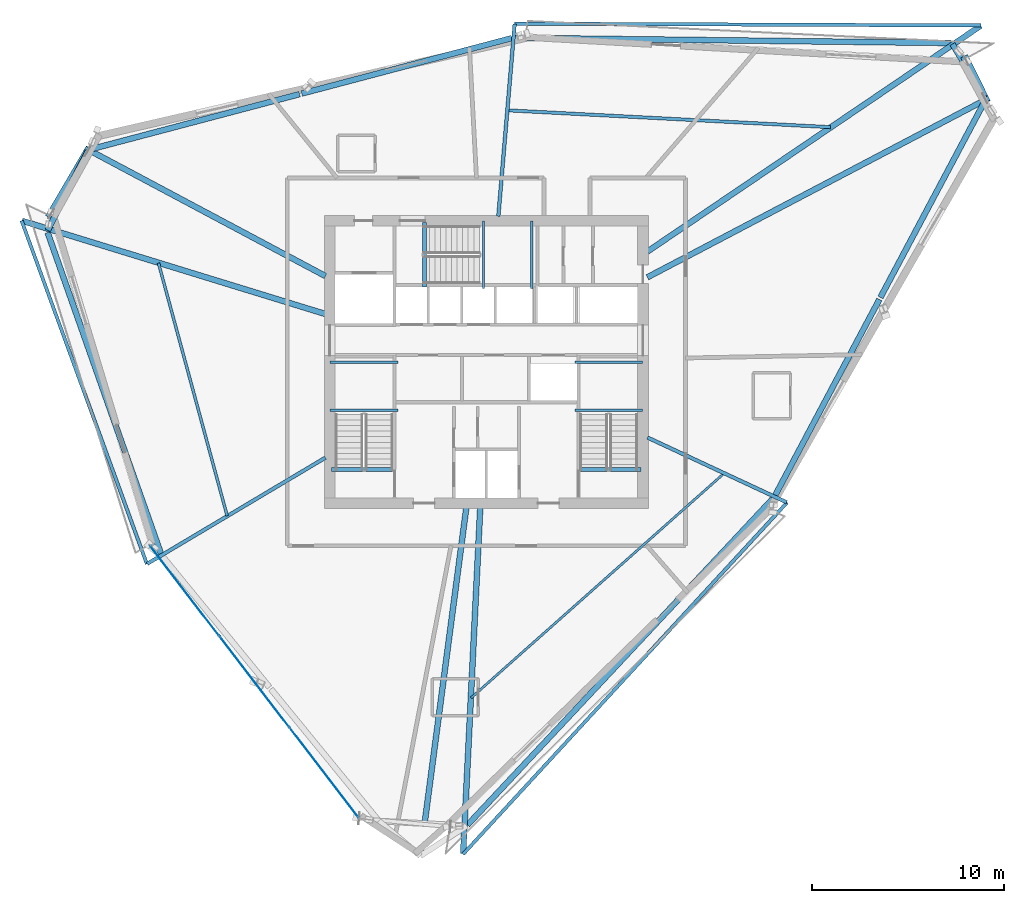
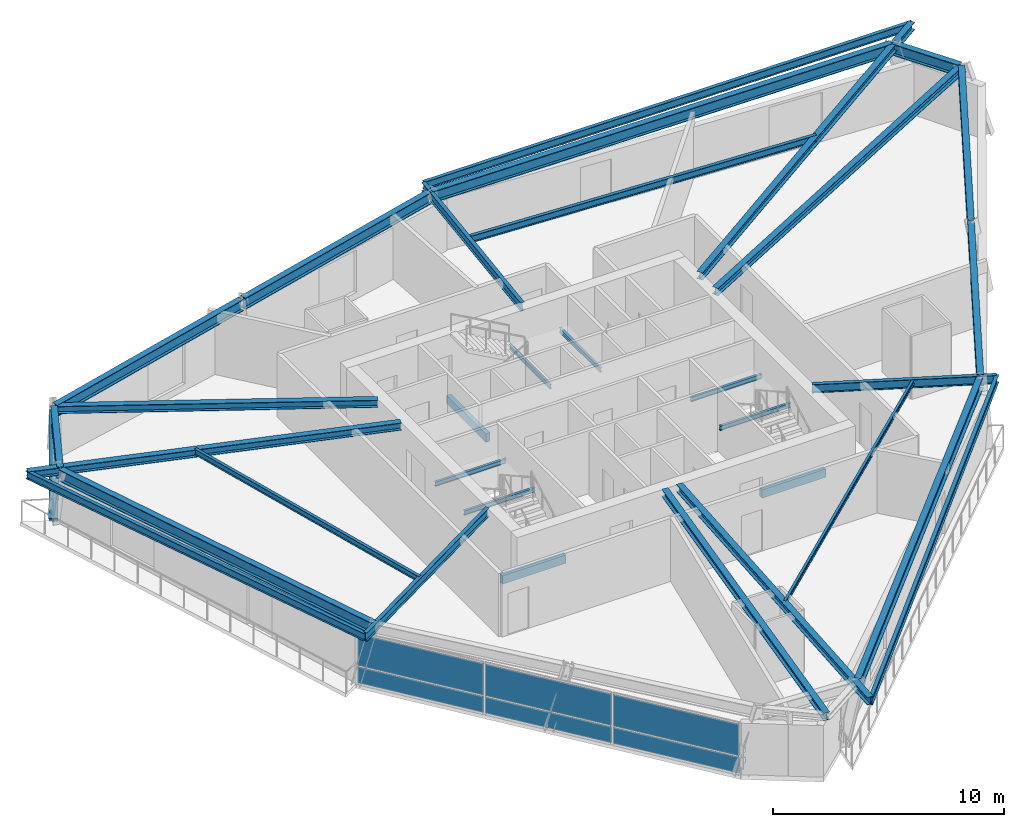
# One storey, part 5 of 15: 33 beams, 6 plates, 2 members, 1 element without a shape of its own.
"""IFC4 building model written with IfcOpenShell, lengths in metres."""

import ifcopenshell
import ifcopenshell.guid

model = None  # the IFC model being written
_history = None  # IfcOwnerHistory: only IFC2X3 demands one
_inside = {}  # id of a spatial element -> (the spatial element, [elements in it])
_under = {}  # id of a project, library or spatial element -> (it, [spatial elements below it])
_declared = {}  # id of a project -> (the project, [libraries it declares])
_typed = {}  # id of a type object -> (the type object, [elements of that type])
_made_of = {}  # id of a material, layer set ... -> (it, [elements and type objects made of it])


def new_model(schema):
    """Start an empty IFC model of exactly this schema.

    Asked for "IFC4X3", IfcOpenShell would pick the latest addendum, in which some entities
    have other attributes; the version numbers below select the first issue.
    IFC2X3 requires an IfcOwnerHistory on every rooted entity: one is made here for all.
    """
    global model, _history
    if schema == "IFC4X3":
        model = ifcopenshell.file(schema_version=(4, 3, 0, 0))
    else:
        model = ifcopenshell.file(schema=schema)
    _inside.clear()
    _under.clear()
    _declared.clear()
    _typed.clear()
    _made_of.clear()
    _history = None
    if model.schema == "IFC2X3":
        org = make("IfcOrganization", Name="unknown")
        user = make(
            "IfcPersonAndOrganization",
            ThePerson=make("IfcPerson", FamilyName="unknown"),
            TheOrganization=org,
        )
        app = make(
            "IfcApplication",
            ApplicationDeveloper=org,
            Version="unknown",
            ApplicationFullName="unknown",
            ApplicationIdentifier="unknown",
        )
        _history = make(
            "IfcOwnerHistory",
            OwningUser=user,
            OwningApplication=app,
            ChangeAction="ADDED",
            CreationDate=0,
        )
    return model


def make(cls, **values):
    """One entity of the class cls with the attributes given. An attribute that is None is left unset."""
    return model.create_entity(
        cls, **{name: value for name, value in values.items() if value is not None}
    )


def rooted(cls, **values):
    """An entity with a GlobalId (a new one), such as an element, a storey or a relation."""
    return make(cls, GlobalId=ifcopenshell.guid.new(), OwnerHistory=_history, **values)


def si_unit(unit_type, name, prefix=None):
    """IfcSIUnit, for example si_unit("LENGTHUNIT", "METRE", prefix="MILLI")."""
    return make("IfcSIUnit", UnitType=unit_type, Prefix=prefix, Name=name)


def assignment(units):
    """IfcUnitAssignment: the units of a project."""
    return None if units is None else make("IfcUnitAssignment", Units=units)


def point(xyz):
    """IfcCartesianPoint."""
    return None if xyz is None else make("IfcCartesianPoint", Coordinates=xyz)


def direction(xyz):
    """IfcDirection."""
    return None if xyz is None else make("IfcDirection", DirectionRatios=xyz)


def frame(location, z_axis=None, x_axis=None):
    """IfcAxis2Placement3D, a coordinate frame: its origin and axes. An axis left out is left unset."""
    return make(
        "IfcAxis2Placement3D",
        Location=point(location),
        Axis=direction(z_axis),
        RefDirection=direction(x_axis),
    )


def frame_2d(location, x_axis=None):
    """IfcAxis2Placement2D, a coordinate frame in the plane: its origin and x axis."""
    return make(
        "IfcAxis2Placement2D", Location=point(location), RefDirection=direction(x_axis)
    )


def origin():
    """The frame at (0, 0, 0) with its axes left unset."""
    return frame((0.0, 0.0, 0.0))


def origin_2d():
    """The frame at (0, 0) in the plane with its x axis left unset."""
    return frame_2d((0.0, 0.0))


def place(relative_to, where):
    """IfcLocalPlacement: puts the frame where relative to a parent placement (None: the world)."""
    return make(
        "IfcLocalPlacement", PlacementRelTo=relative_to, RelativePlacement=where
    )


def context(
    kind, dimensions, precision=None, world=None, true_north=None, identifier=None
):
    """IfcGeometricRepresentationContext, for example the 3D "Model" context."""
    return make(
        "IfcGeometricRepresentationContext",
        ContextIdentifier=identifier,
        ContextType=kind,
        CoordinateSpaceDimension=dimensions,
        Precision=precision,
        WorldCoordinateSystem=world,
        TrueNorth=true_north,
    )


def subcontext(parent, identifier, kind, view, scale=None):
    """IfcGeometricRepresentationSubContext, for example "Body" below "Model"."""
    return make(
        "IfcGeometricRepresentationSubContext",
        ContextIdentifier=identifier,
        ContextType=kind,
        ParentContext=parent,
        TargetScale=scale,
        TargetView=view,
    )


def project(units=None, contexts=None):
    """IfcProject with its units and contexts."""
    return rooted(
        "IfcProject",
        Name="project",
        RepresentationContexts=contexts,
        UnitsInContext=assignment(units),
    )


def spatial(cls, under=None, at=None, **own):
    """A site, building, storey or space (cls), placed at a placement, below another one or the project."""
    s = rooted(cls, ObjectPlacement=at, **own)
    if under is not None:
        _under.setdefault(under.id(), (under, []))[1].append(s)
    return s


def profile(cls, at=None, kind="AREA", **sizes):
    """A parametric profile (cls). Its sizes go by their IFC names, for example OverallWidth=200.0."""
    return make(cls, ProfileType=kind, Position=at, **sizes)


def rectangle(**sizes):
    """IfcRectangleProfileDef."""
    return profile("IfcRectangleProfileDef", **sizes)


def i_section(**sizes):
    """IfcIShapeProfileDef."""
    return profile("IfcIShapeProfileDef", **sizes)


def extrude(swept, where, along, depth):
    """IfcExtrudedAreaSolid: the profile swept, set in the frame where, extruded along a direction by depth."""
    return make(
        "IfcExtrudedAreaSolid",
        SweptArea=swept,
        Position=where,
        ExtrudedDirection=direction(along),
        Depth=depth,
    )


def shape(context_of_items, identifier, shape_type, items):
    """IfcShapeRepresentation: the items that make up one representation, for example the "Body"."""
    return make(
        "IfcShapeRepresentation",
        ContextOfItems=context_of_items,
        RepresentationIdentifier=identifier,
        RepresentationType=shape_type,
        Items=items,
    )


def source(mapping_origin, context_of_items, identifier, shape_type, items):
    """IfcRepresentationMap: a shape defined once, which mapped items show again and again."""
    return make(
        "IfcRepresentationMap",
        MappingOrigin=mapping_origin,
        MappedRepresentation=shape(context_of_items, identifier, shape_type, items),
    )


def transform(
    local_origin,
    x_axis=None,
    y_axis=None,
    z_axis=None,
    scale=None,
    scale2=None,
    scale3=None,
    uniform=True,
):
    """IfcCartesianTransformationOperator3D, or its non-uniform kind. x_axis, y_axis, z_axis: its Axis1, 2, 3."""
    if uniform:
        return make(
            "IfcCartesianTransformationOperator3D",
            Axis1=direction(x_axis),
            Axis2=direction(y_axis),
            LocalOrigin=point(local_origin),
            Scale=scale,
            Axis3=direction(z_axis),
        )
    return make(
        "IfcCartesianTransformationOperator3DnonUniform",
        Axis1=direction(x_axis),
        Axis2=direction(y_axis),
        LocalOrigin=point(local_origin),
        Scale=scale,
        Axis3=direction(z_axis),
        Scale2=scale2,
        Scale3=scale3,
    )


def mapped(mapping_source, mapping_target):
    """IfcMappedItem: shows the shape of a source again, moved by a transform."""
    return make(
        "IfcMappedItem", MappingSource=mapping_source, MappingTarget=mapping_target
    )


def material(Name=None, Category=None):
    """IfcMaterial."""
    return make("IfcMaterial", Name=Name, Category=Category)


def material_profile(
    of_material, cross_section, Name=None, Category=None, Priority=None
):
    """IfcMaterialProfile: a cross section and its material."""
    return make(
        "IfcMaterialProfile",
        Name=Name,
        Material=of_material,
        Profile=cross_section,
        Priority=Priority,
        Category=Category,
    )


def profile_set(profiles, Name=None, composite=None):
    """IfcMaterialProfileSet."""
    return make(
        "IfcMaterialProfileSet",
        Name=Name,
        MaterialProfiles=profiles,
        CompositeProfile=composite,
    )


def made_of(thing, what):
    """Note that an element or type object is made of a material, layer set ...; save() writes the relation."""
    if what is not None:
        _made_of.setdefault(what.id(), (what, []))[1].append(thing)
    return thing


def type_object(cls, material=None, **own):
    """A type object (cls), such as IfcWallType, which elements share."""
    return made_of(rooted(cls, **own), material)


def element(
    cls,
    number,
    at=None,
    inside=None,
    cuts=None,
    type_object=None,
    material=None,
    context=None,
    identifier="Body",
    shape_type=None,
    held_by="IfcProductDefinitionShape",
    body=None,
    shapes=None,
    **own,
):
    """One element of the class cls, such as IfcWall. Its Tag is "e" and its number.

    at: its placement. inside: the storey or other place that contains it. cuts: it is an
    opening in that element (IfcRelVoidsElement). A single representation is given by context,
    identifier, shape_type and body (its items); several are given by shapes. held_by: the class
    of the entity that holds the representations. save() writes the other relations.
    """
    e = rooted(cls, Tag="e%d" % number, ObjectPlacement=at, **own)
    if body is not None:
        shapes = [shape(context, identifier, shape_type, body)]
    if shapes is not None:
        e.Representation = make(held_by, Representations=shapes)
    if inside is not None:
        _inside.setdefault(inside.id(), (inside, []))[1].append(e)
    if cuts is not None:
        rooted(
            "IfcRelVoidsElement", RelatingBuildingElement=cuts, RelatedOpeningElement=e
        )
    if type_object is not None:
        _typed.setdefault(type_object.id(), (type_object, []))[1].append(e)
    return made_of(e, material)


def aggregate(whole, parts):
    """IfcRelAggregates: a whole, such as a stair, and the parts it consists of."""
    return rooted("IfcRelAggregates", RelatingObject=whole, RelatedObjects=parts)


def save(model, path):
    """Write the relations noted so far, then the file.

    IfcRelAggregates (storeys below a building ...), IfcRelContainedInSpatialStructure (elements
    in a storey), IfcRelDefinesByType, IfcRelAssociatesMaterial and IfcRelDeclares: one each for
    every whole, place, type object, material and project.
    """
    for whole, parts in _under.values():
        aggregate(whole, parts)
    for where, things in _inside.values():
        rooted(
            "IfcRelContainedInSpatialStructure",
            RelatedElements=things,
            RelatingStructure=where,
        )
    for kind, things in _typed.values():
        rooted("IfcRelDefinesByType", RelatedObjects=things, RelatingType=kind)
    for what, things in _made_of.values():
        rooted("IfcRelAssociatesMaterial", RelatedObjects=things, RelatingMaterial=what)
    for by, libraries in _declared.values():
        rooted("IfcRelDeclares", RelatingContext=by, RelatedDefinitions=libraries)
    model.write(path)


model = new_model("IFC4")

# Units and contexts
model_context = context("Model", 3, precision=1e-05, world=origin(), true_north=direction((0.0, 1.0)))
body_context = subcontext(model_context, "Body", "Model", "MODEL_VIEW")
ifc_project = project(units=[si_unit("LENGTHUNIT", "METRE"), si_unit("AREAUNIT", "SQUARE_METRE"), si_unit("VOLUMEUNIT", "CUBIC_METRE"), si_unit("PLANEANGLEUNIT", "RADIAN"), si_unit("MASSUNIT", "GRAM", prefix="KILO")], contexts=[model_context])

# Site, building, storey
site_placement = place(None, origin())
site = spatial("IfcSite", under=ifc_project, at=site_placement, CompositionType="ELEMENT")
building_placement = place(site_placement, origin())
building = spatial("IfcBuilding", under=site, at=building_placement, Name="Olszyna Solenne Hotel", CompositionType="ELEMENT")
storey_placement = place(building_placement, frame((0.0, 0.0, 157.25)))
storey = spatial("IfcBuildingStorey", under=building, at=storey_placement, Name="L41", CompositionType="ELEMENT", Elevation=157.25)

# Beams
ifc_material_1 = material(Name="Steel S355J2", Category="steel")
ifc_material_profile_1 = material_profile(ifc_material_1, i_section(OverallWidth=0.179931640625, OverallDepth=0.39990234375, WebThickness=0.008544921875, FlangeThickness=0.013427734375, at=origin_2d()), Name="IPE 400", Category="load-bearing")
ifc_profile_set_1 = profile_set([ifc_material_profile_1], Name="Steel S355J2")
beam_type_1 = type_object("IfcBeamType", Name="BM-F5", PredefinedType="BEAM", material=ifc_profile_set_1)
shared_shape_1 = source(origin(), body_context, "Body", "SweptSolid", [
    extrude(i_section(OverallWidth=0.179931640625, OverallDepth=0.39990234375, WebThickness=0.008544921875, FlangeThickness=0.013427734375, at=origin_2d()), origin(), (0.0, 0.0, 1.0), 24.965576171875),
])
beam_1_placement = place(storey_placement, frame((36.78173828125, 0.89111328125, 3.1298828125), z_axis=(0.677512092858, 0.735511634192, 0.0), x_axis=(-0.735511634192, 0.677512092858, 0.0)))
element("IfcBeam", 1, at=beam_1_placement, inside=storey, type_object=beam_type_1, Name="Loggia outer edge beam BM-F5 B-L41-1244", PredefinedType="BEAM", context=body_context, shape_type="MappedRepresentation", body=[
    mapped(shared_shape_1, transform((0.0, 0.0, 0.0), x_axis=(1.0, 0.0, 0.0), y_axis=(0.0, 1.0, 0.0), z_axis=(0.0, 0.0, 1.0), scale=1.0)),
])
ifc_material_profile_2 = material_profile(ifc_material_1, i_section(OverallWidth=0.300048828125, OverallDepth=0.60009765625, WebThickness=0.015380859375, FlangeThickness=0.030029296875, at=origin_2d()), Name="HEB 600", Category="load-bearing")
ifc_profile_set_2 = profile_set([ifc_material_profile_2], Name="Steel S355J2")
beam_type_2 = type_object("IfcBeamType", Name="BM-S2", PredefinedType="BEAM", material=ifc_profile_set_2)
shared_shape_2 = source(origin(), body_context, "Body", "SweptSolid", [
    extrude(i_section(OverallWidth=0.300048828125, OverallDepth=0.60009765625, WebThickness=0.015380859375, FlangeThickness=0.030029296875, at=origin_2d()), origin(), (0.0, 0.0, 1.0), 3.32373046875),
])
beam_2_placement = place(storey_placement, frame((64.033203125, 40.337890625, 3.030029296875), z_axis=(-0.511305643237, 0.859398940652, 0.0), x_axis=(-0.859398940652, -0.511305643237, 0.0)))
element("IfcBeam", 2, at=beam_2_placement, inside=storey, type_object=beam_type_2, Name="Perimeter spandrel beam BM-S2 B-L41-1216", PredefinedType="BEAM", context=body_context, shape_type="MappedRepresentation", body=[
    mapped(shared_shape_2, transform((0.0, 0.0, 0.0), x_axis=(1.0, 0.0, 0.0), y_axis=(0.0, 1.0, 0.0), z_axis=(0.0, 0.0, 1.0), scale=1.0)),
])
shared_shape_3 = source(origin(), body_context, "Body", "SweptSolid", [
    extrude(i_section(OverallWidth=0.300048828125, OverallDepth=0.60009765625, WebThickness=0.015380859375, FlangeThickness=0.030029296875, at=origin_2d()), origin(), (0.0, 0.0, 1.0), 22.802978515625),
])
beam_3_placement = place(storey_placement, frame((62.242919921875, 43.24658203125, 3.030029296875), z_axis=(-0.999929124611, 0.011905702578, 0.0), x_axis=(-0.011905702578, -0.999929124611, 0.0)))
element("IfcBeam", 3, at=beam_3_placement, inside=storey, type_object=beam_type_2, Name="Perimeter spandrel beam BM-S2 B-L41-1217", PredefinedType="BEAM", context=body_context, shape_type="MappedRepresentation", body=[
    mapped(shared_shape_3, transform((0.0, 0.0, 0.0), x_axis=(1.0, 0.0, 0.0), y_axis=(0.0, 1.0, 0.0), z_axis=(0.0, 0.0, 1.0), scale=1.0)),
])
shared_shape_4 = source(origin(), body_context, "Body", "SweptSolid", [
    extrude(i_section(OverallWidth=0.300048828125, OverallDepth=0.60009765625, WebThickness=0.015380859375, FlangeThickness=0.030029296875, at=origin_2d()), origin(), (0.0, 0.0, 1.0), 11.341552734375),
])
for number, where, z_axis, x_axis, name in (
    (4, (39.32373046875, 43.50341796875, 3.030029296875), (-0.966872914072, -0.255258237935, 0.0), (0.255258237935, -0.966872914072, 0.0), "Perimeter spandrel beam BM-S2 B-L41-1218"),
    (5, (28.241943359375, 40.577880859375, 3.030029296875), (-0.966872914072, -0.255258237935, 0.0), (0.255258237935, -0.966872914072, 0.0), "Perimeter spandrel beam BM-S2 B-L41-1219"),
):
    element("IfcBeam", number, at=place(storey_placement, frame(where, z_axis=z_axis, x_axis=x_axis)), inside=storey, type_object=beam_type_2, Name=name, PredefinedType="BEAM", context=body_context, shape_type="MappedRepresentation", body=[
        mapped(shared_shape_4, transform((0.0, 0.0, 0.0), x_axis=(1.0, 0.0, 0.0), y_axis=(0.0, 1.0, 0.0), z_axis=(0.0, 0.0, 1.0), scale=1.0)),
    ])
shared_shape_5 = source(origin(), body_context, "Body", "SweptSolid", [
    extrude(i_section(OverallWidth=0.300048828125, OverallDepth=0.60009765625, WebThickness=0.015380859375, FlangeThickness=0.030029296875, at=origin_2d()), origin(), (0.0, 0.0, 1.0), 4.6533203125),
])
beam_4_placement = place(storey_placement, frame((17.191162109375, 37.614013671875, 3.030029296875), z_axis=(-0.450840560101, -0.89260449773, 0.0), x_axis=(0.89260449773, -0.450840560101, 0.0)))
element("IfcBeam", 6, at=beam_4_placement, inside=storey, type_object=beam_type_2, Name="Perimeter spandrel beam BM-S2 B-L41-1220", PredefinedType="BEAM", context=body_context, shape_type="MappedRepresentation", body=[
    mapped(shared_shape_5, transform((0.0, 0.0, 0.0), x_axis=(1.0, 0.0, 0.0), y_axis=(0.0, 1.0, 0.0), z_axis=(0.0, 0.0, 1.0), scale=1.0)),
])
shared_shape_6 = source(origin(), body_context, "Body", "SweptSolid", [
    extrude(i_section(OverallWidth=0.300048828125, OverallDepth=0.60009765625, WebThickness=0.015380859375, FlangeThickness=0.030029296875, at=origin_2d()), origin(), (0.0, 0.0, 1.0), 17.8076171875),
])
beam_5_placement = place(storey_placement, frame((15.086181640625, 33.350341796875, 3.030029296875), z_axis=(0.332836611816, -0.94298451198, 0.0), x_axis=(0.94298451198, 0.332836611816, 0.0)))
element("IfcBeam", 7, at=beam_5_placement, inside=storey, type_object=beam_type_2, Name="Perimeter spandrel beam BM-S2 B-L41-1221", PredefinedType="BEAM", context=body_context, shape_type="MappedRepresentation", body=[
    mapped(shared_shape_6, transform((0.0, 0.0, 0.0), x_axis=(1.0, 0.0, 0.0), y_axis=(0.0, 1.0, 0.0), z_axis=(0.0, 0.0, 1.0), scale=1.0)),
])
shared_shape_7 = source(origin(), body_context, "Body", "SweptSolid", [
    extrude(i_section(OverallWidth=0.300048828125, OverallDepth=0.60009765625, WebThickness=0.015380859375, FlangeThickness=0.030029296875, at=origin_2d()), origin(), (0.0, 0.0, 1.0), 23.38330078125),
])
beam_6_placement = place(storey_placement, frame((37.010986328125, 2.416259765625, 3.030029296875), z_axis=(0.683186764707, 0.730243688455, 0.0), x_axis=(-0.730243688455, 0.683186764707, 0.0)))
element("IfcBeam", 8, at=beam_6_placement, inside=storey, type_object=beam_type_2, Name="Perimeter spandrel beam BM-S2 B-L41-1225", PredefinedType="BEAM", context=body_context, shape_type="MappedRepresentation", body=[
    mapped(shared_shape_7, transform((0.0, 0.0, 0.0), x_axis=(1.0, 0.0, 0.0), y_axis=(0.0, 1.0, 0.0), z_axis=(0.0, 0.0, 1.0), scale=1.0)),
])
shared_shape_8 = source(origin(), body_context, "Body", "SweptSolid", [
    extrude(i_section(OverallWidth=0.300048828125, OverallDepth=0.60009765625, WebThickness=0.015380859375, FlangeThickness=0.030029296875, at=origin_2d()), origin(), (0.0, 0.0, 1.0), 11.631591796875),
])
for number, where, z_axis, x_axis, name in (
    (9, (53.055419921875, 19.58837890625, 3.030029296875), (0.469572593638, 0.882893866387, 0.0), (-0.882893866387, 0.469572593638, 0.0), "Perimeter spandrel beam BM-S2 B-L41-1226"),
    (10, (58.57373046875, 29.9638671875, 3.030029296875), (0.46959765666, 0.882880536007, 0.0), (-0.882880536007, 0.46959765666, 0.0), "Perimeter spandrel beam BM-S2 B-L41-1227"),
):
    element("IfcBeam", number, at=place(storey_placement, frame(where, z_axis=z_axis, x_axis=x_axis)), inside=storey, type_object=beam_type_2, Name=name, PredefinedType="BEAM", context=body_context, shape_type="MappedRepresentation", body=[
        mapped(shared_shape_8, transform((0.0, 0.0, 0.0), x_axis=(1.0, 0.0, 0.0), y_axis=(0.0, 1.0, 0.0), z_axis=(0.0, 0.0, 1.0), scale=1.0)),
    ])
ifc_material_profile_3 = material_profile(ifc_material_1, i_section(OverallWidth=0.300048828125, OverallDepth=0.389892578125, WebThickness=0.010986328125, FlangeThickness=0.01904296875, at=origin_2d()), Name="HEA 400", Category="load-bearing")
ifc_profile_set_3 = profile_set([ifc_material_profile_3], Name="Steel S355J2")
beam_type_3 = type_object("IfcBeamType", Name="BM-G2", PredefinedType="BEAM", material=ifc_profile_set_3)
shared_shape_9 = source(origin(), body_context, "Body", "SweptSolid", [
    extrude(i_section(OverallWidth=0.300048828125, OverallDepth=0.389892578125, WebThickness=0.010986328125, FlangeThickness=0.01904296875, at=origin_2d()), origin(), (0.0, 0.0, 1.0), 19.884765625),
])
beam_7_placement = place(storey_placement, frame((64.010986328125, 40.25830078125, 3.135009765625), z_axis=(-0.885363918477, -0.464898625357, 0.0), x_axis=(0.464898625357, -0.885363918477, 0.0)))
element("IfcBeam", 11, at=beam_7_placement, inside=storey, type_object=beam_type_3, Name="Radial floor girder BM-G2 B-L41-1228", PredefinedType="BEAM", context=body_context, shape_type="MappedRepresentation", body=[
    mapped(shared_shape_9, transform((0.0, 0.0, 0.0), x_axis=(1.0, 0.0, 0.0), y_axis=(0.0, 1.0, 0.0), z_axis=(0.0, 0.0, 1.0), scale=1.0)),
])
shared_shape_10 = source(origin(), body_context, "Body", "SweptSolid", [
    extrude(i_section(OverallWidth=0.300048828125, OverallDepth=0.389892578125, WebThickness=0.010986328125, FlangeThickness=0.01904296875, at=origin_2d()), origin(), (0.0, 0.0, 1.0), 21.023193359375),
])
beam_8_placement = place(storey_placement, frame((63.812744140625, 44.152587890625, 3.135009765625), z_axis=(-0.827849627976, -0.560950081077, 0.0), x_axis=(0.560950081077, -0.827849627976, 0.0)))
element("IfcBeam", 12, at=beam_8_placement, inside=storey, type_object=beam_type_3, Name="Radial floor girder BM-G2 B-L41-1229", PredefinedType="BEAM", context=body_context, shape_type="MappedRepresentation", body=[
    mapped(shared_shape_10, transform((0.0, 0.0, 0.0), x_axis=(1.0, 0.0, 0.0), y_axis=(0.0, 1.0, 0.0), z_axis=(0.0, 0.0, 1.0), scale=1.0)),
])
ifc_material_profile_4 = material_profile(ifc_material_1, i_section(OverallWidth=0.18994140625, OverallDepth=0.449951171875, WebThickness=0.009521484375, FlangeThickness=0.0146484375, at=origin_2d()), Name="IPE 450", Category="load-bearing")
ifc_profile_set_4 = profile_set([ifc_material_profile_4], Name="Steel S355J2")
beam_type_4 = type_object("IfcBeamType", Name="BM-F4", PredefinedType="BEAM", material=ifc_profile_set_4)
shared_shape_11 = source(origin(), body_context, "Body", "SweptSolid", [
    extrude(i_section(OverallWidth=0.18994140625, OverallDepth=0.449951171875, WebThickness=0.009521484375, FlangeThickness=0.0146484375, at=origin_2d()), origin(), (0.0, 0.0, 1.0), 10.075439453125),
])
beam_9_placement = place(storey_placement, frame((39.47412109375, 44.239501953125, 3.10498046875), z_axis=(-0.08471179236, -0.996405495888, 0.0), x_axis=(0.996405495888, -0.08471179236, 0.0)))
element("IfcBeam", 13, at=beam_9_placement, inside=storey, type_object=beam_type_4, Name="Radial floor girder BM-F4 B-L41-1230", PredefinedType="BEAM", context=body_context, shape_type="MappedRepresentation", body=[
    mapped(shared_shape_11, transform((0.0, 0.0, 0.0), x_axis=(1.0, 0.0, 0.0), y_axis=(0.0, 1.0, 0.0), z_axis=(0.0, 0.0, 1.0), scale=1.0)),
])
shared_shape_12 = source(origin(), body_context, "Body", "SweptSolid", [
    extrude(i_section(OverallWidth=0.300048828125, OverallDepth=0.389892578125, WebThickness=0.010986328125, FlangeThickness=0.01904296875, at=origin_2d()), origin(), (0.0, 0.0, 1.0), 13.961669921875),
])
beam_10_placement = place(storey_placement, frame((17.27099609375, 37.639404296875, 3.135009765625), z_axis=(0.882635955377, -0.47005719894, 0.0), x_axis=(0.47005719894, 0.882635955377, 0.0)))
element("IfcBeam", 14, at=beam_10_placement, inside=storey, type_object=beam_type_3, Name="Radial floor girder BM-G2 B-L41-1231", PredefinedType="BEAM", context=body_context, shape_type="MappedRepresentation", body=[
    mapped(shared_shape_12, transform((0.0, 0.0, 0.0), x_axis=(1.0, 0.0, 0.0), y_axis=(0.0, 1.0, 0.0), z_axis=(0.0, 0.0, 1.0), scale=1.0)),
])
shared_shape_13 = source(origin(), body_context, "Body", "SweptSolid", [
    extrude(i_section(OverallWidth=0.300048828125, OverallDepth=0.389892578125, WebThickness=0.010986328125, FlangeThickness=0.01904296875, at=origin_2d()), origin(), (0.0, 0.0, 1.0), 16.58203125),
])
beam_11_placement = place(storey_placement, frame((13.747314453125, 33.96435546875, 3.135009765625), z_axis=(0.955889087144, -0.29372785547, 0.0), x_axis=(0.29372785547, 0.955889087144, 0.0)))
element("IfcBeam", 15, at=beam_11_placement, inside=storey, type_object=beam_type_3, Name="Radial floor girder BM-G2 B-L41-1232", PredefinedType="BEAM", context=body_context, shape_type="MappedRepresentation", body=[
    mapped(shared_shape_13, transform((0.0, 0.0, 0.0), x_axis=(1.0, 0.0, 0.0), y_axis=(0.0, 1.0, 0.0), z_axis=(0.0, 0.0, 1.0), scale=1.0)),
])
shared_shape_14 = source(origin(), body_context, "Body", "SweptSolid", [
    extrude(i_section(OverallWidth=0.18994140625, OverallDepth=0.449951171875, WebThickness=0.009521484375, FlangeThickness=0.0146484375, at=origin_2d()), origin(), (0.0, 0.0, 1.0), 10.83154296875),
])
beam_12_placement = place(storey_placement, frame((20.287353515625, 16.052978515625, 3.10498046875), z_axis=(0.859125370505, 0.511765178333, 0.0), x_axis=(-0.511765178333, 0.859125370505, 0.0)))
element("IfcBeam", 16, at=beam_12_placement, inside=storey, type_object=beam_type_4, Name="Radial floor girder BM-F4 B-L41-1233", PredefinedType="BEAM", context=body_context, shape_type="MappedRepresentation", body=[
    mapped(shared_shape_14, transform((0.0, 0.0, 0.0), x_axis=(1.0, 0.0, 0.0), y_axis=(0.0, 1.0, 0.0), z_axis=(0.0, 0.0, 1.0), scale=1.0)),
])
shared_shape_15 = source(origin(), body_context, "Body", "SweptSolid", [
    extrude(i_section(OverallWidth=0.300048828125, OverallDepth=0.389892578125, WebThickness=0.010986328125, FlangeThickness=0.01904296875, at=origin_2d()), origin(), (0.0, 0.0, 1.0), 18.337646484375),
])
beam_13_placement = place(storey_placement, frame((34.5498046875, 0.81982421875, 3.135009765625), z_axis=(0.130966268218, 0.991386824902, 0.0), x_axis=(-0.991386824902, 0.130966268218, 0.0)))
element("IfcBeam", 17, at=beam_13_placement, inside=storey, type_object=beam_type_3, Name="Radial floor girder BM-G2 B-L41-1234", PredefinedType="BEAM", context=body_context, shape_type="MappedRepresentation", body=[
    mapped(shared_shape_15, transform((0.0, 0.0, 0.0), x_axis=(1.0, 0.0, 0.0), y_axis=(0.0, 1.0, 0.0), z_axis=(0.0, 0.0, 1.0), scale=1.0)),
])
shared_shape_16 = source(origin(), body_context, "Body", "SweptSolid", [
    extrude(i_section(OverallWidth=0.300048828125, OverallDepth=0.389892578125, WebThickness=0.010986328125, FlangeThickness=0.01904296875, at=origin_2d()), origin(), (0.0, 0.0, 1.0), 18.11083984375),
])
beam_14_placement = place(storey_placement, frame((36.78271484375, 0.9111328125, 3.135009765625), z_axis=(0.049378228339, 0.998780151268, 0.0), x_axis=(-0.998780151268, 0.049378228339, 0.0)))
element("IfcBeam", 18, at=beam_14_placement, inside=storey, type_object=beam_type_3, Name="Radial floor girder BM-G2 B-L41-1235", PredefinedType="BEAM", context=body_context, shape_type="MappedRepresentation", body=[
    mapped(shared_shape_16, transform((0.0, 0.0, 0.0), x_axis=(1.0, 0.0, 0.0), y_axis=(0.0, 1.0, 0.0), z_axis=(0.0, 0.0, 1.0), scale=1.0)),
])
shared_shape_17 = source(origin(), body_context, "Body", "SweptSolid", [
    extrude(i_section(OverallWidth=0.18994140625, OverallDepth=0.449951171875, WebThickness=0.009521484375, FlangeThickness=0.0146484375, at=origin_2d()), origin(), (0.0, 0.0, 1.0), 8.02294921875),
])
beam_15_placement = place(storey_placement, frame((53.677978515625, 19.26220703125, 3.10498046875), z_axis=(-0.906549739679, 0.422099004367, 0.0), x_axis=(-0.422099004367, -0.906549739679, 0.0)))
element("IfcBeam", 19, at=beam_15_placement, inside=storey, type_object=beam_type_4, Name="Radial floor girder BM-F4 B-L41-1236", PredefinedType="BEAM", context=body_context, shape_type="MappedRepresentation", body=[
    mapped(shared_shape_17, transform((0.0, 0.0, 0.0), x_axis=(1.0, 0.0, 0.0), y_axis=(0.0, 1.0, 0.0), z_axis=(0.0, 0.0, 1.0), scale=1.0)),
])
ifc_material_profile_5 = material_profile(ifc_material_1, i_section(OverallWidth=0.169921875, OverallDepth=0.360107421875, WebThickness=0.008056640625, FlangeThickness=0.0126953125, at=origin_2d()), Name="IPE 360", Category="load-bearing")
ifc_profile_set_5 = profile_set([ifc_material_profile_5], Name="Steel S355J2")
beam_type_5 = type_object("IfcBeamType", Name="JS-01", PredefinedType="JOIST", material=ifc_profile_set_5)
shared_shape_18 = source(origin(), body_context, "Body", "SweptSolid", [
    extrude(i_section(OverallWidth=0.169921875, OverallDepth=0.360107421875, WebThickness=0.008056640625, FlangeThickness=0.0126953125, at=origin_2d()), origin(), (0.0, 0.0, 1.0), 16.8818359375),
])
beam_16_placement = place(storey_placement, frame((55.969970703125, 38.852783203125, 3.14990234375), z_axis=(-0.998643833033, 0.05206241201, 0.0), x_axis=(-0.05206241201, -0.998643833033, 0.0)))
element("IfcBeam", 20, at=beam_16_placement, inside=storey, type_object=beam_type_5, Name="Secondary composite floor joist JS-01 B-L41-1239", PredefinedType="JOIST", context=body_context, shape_type="MappedRepresentation", body=[
    mapped(shared_shape_18, transform((0.0, 0.0, 0.0), x_axis=(1.0, 0.0, 0.0), y_axis=(0.0, 1.0, 0.0), z_axis=(0.0, 0.0, 1.0), scale=1.0)),
])
ifc_material_profile_6 = material_profile(ifc_material_1, i_section(OverallWidth=0.14990234375, OverallDepth=0.300048828125, WebThickness=0.007080078125, FlangeThickness=0.0107421875, at=origin_2d()), Name="IPE 300", Category="load-bearing")
ifc_profile_set_6 = profile_set([ifc_material_profile_6], Name="Steel S355J2")
beam_type_6 = type_object("IfcBeamType", Name="JS-02", PredefinedType="JOIST", material=ifc_profile_set_6)
shared_shape_19 = source(origin(), body_context, "Body", "SweptSolid", [
    extrude(i_section(OverallWidth=0.14990234375, OverallDepth=0.300048828125, WebThickness=0.007080078125, FlangeThickness=0.0107421875, at=origin_2d()), origin(), (0.0, 0.0, 1.0), 13.674072265625),
])
beam_17_placement = place(storey_placement, frame((20.874755859375, 31.756591796875, 3.179931640625), z_axis=(0.262209325717, -0.965011020407, 0.0), x_axis=(0.965011020407, 0.262209325717, 0.0)))
element("IfcBeam", 21, at=beam_17_placement, inside=storey, type_object=beam_type_6, Name="Secondary composite floor joist JS-02 B-L41-1240", PredefinedType="JOIST", context=body_context, shape_type="MappedRepresentation", body=[
    mapped(shared_shape_19, transform((0.0, 0.0, 0.0), x_axis=(1.0, 0.0, 0.0), y_axis=(0.0, 1.0, 0.0), z_axis=(0.0, 0.0, 1.0), scale=1.0)),
])
ifc_material_profile_7 = material_profile(ifc_material_1, i_section(OverallWidth=0.1201171875, OverallDepth=0.239990234375, WebThickness=0.006103515625, FlangeThickness=0.009765625, at=origin_2d()), Name="IPE 240", Category="load-bearing")
ifc_profile_set_7 = profile_set([ifc_material_profile_7], Name="Steel S355J2")
beam_type_7 = type_object("IfcBeamType", Name="JS-03", PredefinedType="JOIST", material=ifc_profile_set_7)
shared_shape_20 = source(origin(), body_context, "Body", "SweptSolid", [
    extrude(i_section(OverallWidth=0.1201171875, OverallDepth=0.239990234375, WebThickness=0.006103515625, FlangeThickness=0.009765625, at=origin_2d()), origin(), (0.0, 0.0, 1.0), 17.649169921875),
])
beam_18_placement = place(storey_placement, frame((37.199462890625, 9.053466796875, 3.2099609375), z_axis=(0.747946364231, 0.663759170358, 0.0), x_axis=(-0.663759170358, 0.747946364231, 0.0)))
element("IfcBeam", 22, at=beam_18_placement, inside=storey, type_object=beam_type_7, Name="Secondary composite floor joist JS-03 B-L41-1241", PredefinedType="JOIST", context=body_context, shape_type="MappedRepresentation", body=[
    mapped(shared_shape_20, transform((0.0, 0.0, 0.0), x_axis=(1.0, 0.0, 0.0), y_axis=(0.0, 1.0, 0.0), z_axis=(0.0, 0.0, 1.0), scale=1.0)),
])
shared_shape_21 = source(origin(), body_context, "Body", "SweptSolid", [
    extrude(i_section(OverallWidth=0.179931640625, OverallDepth=0.39990234375, WebThickness=0.008544921875, FlangeThickness=0.013427734375, at=origin_2d()), origin(), (0.0, 0.0, 1.0), 24.353759765625),
])
beam_19_placement = place(storey_placement, frame((63.829345703125, 44.163818359375, 3.1298828125), z_axis=(-0.999992317983, 0.003919690796, 0.0), x_axis=(-0.003919690796, -0.999992317983, 0.0)))
element("IfcBeam", 23, at=beam_19_placement, inside=storey, type_object=beam_type_1, Name="Loggia outer edge beam BM-F5 B-L41-1242", PredefinedType="BEAM", context=body_context, shape_type="MappedRepresentation", body=[
    mapped(shared_shape_21, transform((0.0, 0.0, 0.0), x_axis=(1.0, 0.0, 0.0), y_axis=(0.0, 1.0, 0.0), z_axis=(0.0, 0.0, 1.0), scale=1.0)),
])
shared_shape_22 = source(origin(), body_context, "Body", "SweptSolid", [
    extrude(i_section(OverallWidth=0.179931640625, OverallDepth=0.39990234375, WebThickness=0.008544921875, FlangeThickness=0.013427734375, at=origin_2d()), origin(), (0.0, 0.0, 1.0), 19.083740234375),
])
beam_20_placement = place(storey_placement, frame((13.72802734375, 33.97021484375, 3.1298828125), z_axis=(0.342802895633, -0.939407352934, 0.0), x_axis=(0.939407352934, 0.342802895633, 0.0)))
element("IfcBeam", 24, at=beam_20_placement, inside=storey, type_object=beam_type_1, Name="Loggia outer edge beam BM-F5 B-L41-1243", PredefinedType="BEAM", context=body_context, shape_type="MappedRepresentation", body=[
    mapped(shared_shape_22, transform((0.0, 0.0, 0.0), x_axis=(1.0, 0.0, 0.0), y_axis=(0.0, 1.0, 0.0), z_axis=(0.0, 0.0, 1.0), scale=1.0)),
])

# Members
ifc_material_2 = material(Name="Steel S460M", Category="steel")
ifc_material_profile_8 = material_profile(ifc_material_2, i_section(OverallWidth=0.406005859375, OverallDepth=0.416015625, WebThickness=0.026611328125, FlangeThickness=0.04150390625, at=origin_2d()), Name="HD 400x382", Category="load-bearing")
ifc_profile_set_8 = profile_set([ifc_material_profile_8], Name="Steel S460M")
member_type = type_object("IfcMemberType", Name="BR-T2", PredefinedType="BRACE", material=ifc_profile_set_8)
shared_shape_23 = source(origin(), body_context, "Body", "SweptSolid", [
    extrude(i_section(OverallWidth=0.406005859375, OverallDepth=0.416015625, WebThickness=0.026611328125, FlangeThickness=0.04150390625, at=origin_2d()), origin(), (0.0, 0.0, 1.0), 3.818603515625),
])
member_1_placement = place(storey_placement, frame((63.012451171875, 42.415771484375, 0.010009765625), z_axis=(0.275372156499, -0.557713332051, 0.783023636091), x_axis=(0.896656833649, 0.442726238969, 0.0)))
element("IfcMember", 25, at=member_1_placement, inside=storey, type_object=member_type, Name="Perimeter braced-tube diagonal BR-T2 BR-L41-1", PredefinedType="BRACE", context=body_context, shape_type="MappedRepresentation", body=[
    mapped(shared_shape_23, transform((0.0, 0.0, 0.0), x_axis=(1.0, 0.0, 0.0), y_axis=(0.0, 1.0, 0.0), z_axis=(0.0, 0.0, 1.0), scale=1.0)),
])
shared_shape_24 = source(origin(), body_context, "Body", "SweptSolid", [
    extrude(i_section(OverallWidth=0.406005859375, OverallDepth=0.416015625, WebThickness=0.026611328125, FlangeThickness=0.04150390625, at=origin_2d()), origin(), (0.0, 0.0, 1.0), 4.9658203125),
])
member_2_placement = place(storey_placement, frame((15.215087890625, 34.245849609375, 0.010009765625), z_axis=(0.403343531774, 0.689037006071, 0.602114606732), x_axis=(-0.863011850167, 0.505183675974, 0.0)))
element("IfcMember", 26, at=member_2_placement, inside=storey, type_object=member_type, Name="Perimeter braced-tube diagonal BR-T2 BR-L41-2", PredefinedType="BRACE", context=body_context, shape_type="MappedRepresentation", body=[
    mapped(shared_shape_24, transform((0.0, 0.0, 0.0), x_axis=(1.0, 0.0, 0.0), y_axis=(0.0, 1.0, 0.0), z_axis=(0.0, 0.0, 1.0), scale=1.0)),
])

# Beams
shared_shape_25 = source(origin(), body_context, "Body", "SweptSolid", [
    extrude(i_section(OverallWidth=0.1201171875, OverallDepth=0.239990234375, WebThickness=0.006103515625, FlangeThickness=0.009765625, at=origin_2d()), origin(), (0.0, 0.0, 1.0), 3.539794921875),
])
for number, where, z_axis, x_axis, name in (
    (27, (33.3798828125, 24.070068359375, 1.449951171875), (-1.0, 0.0, 0.0), (0.0, -1.0, 0.0), "Stair landing support beam JS-03 SLB-ST1-0087"),
    (28, (33.3798828125, 26.580078125, 1.449951171875), (-1.0, 0.0, 0.0), (0.0, -1.0, 0.0), "Stair landing support beam JS-03 SLB-ST1-0088"),
    (29, (46.159912109375, 24.070068359375, 1.449951171875), (-1.0, 0.0, 0.0), (0.0, -1.0, 0.0), "Stair landing support beam JS-03 SLB-ST2-0327"),
    (30, (46.159912109375, 26.580078125, 1.449951171875), (-1.0, 0.0, 0.0), (0.0, -1.0, 0.0), "Stair landing support beam JS-03 SLB-ST2-0328"),
):
    element("IfcBeam", number, at=place(storey_placement, frame(where, z_axis=z_axis, x_axis=x_axis)), inside=storey, type_object=beam_type_7, Name=name, PredefinedType="JOIST", context=body_context, shape_type="MappedRepresentation", body=[
        mapped(shared_shape_25, transform((0.0, 0.0, 0.0), x_axis=(1.0, 0.0, 0.0), y_axis=(0.0, 1.0, 0.0), z_axis=(0.0, 0.0, 1.0), scale=1.0)),
    ])
ifc_material_3 = material(Name="Concrete C50/60", Category="concrete")
ifc_material_profile_9 = material_profile(ifc_material_3, rectangle(XDim=0.219970703125, YDim=0.43994140625, at=origin_2d()), Name="RC 220x440", Category="load-bearing")
ifc_profile_set_9 = profile_set([ifc_material_profile_9], Name="Concrete C50/60")
beam_type_8 = type_object("IfcBeamType", Name="BM-ST1", PredefinedType="BEAM", material=ifc_profile_set_9)
shared_shape_26 = source(origin(), body_context, "Body", "SweptSolid", [
    extrude(rectangle(XDim=0.219970703125, YDim=0.43994140625, at=origin_2d()), origin(), (0.0, 0.0, 1.0), 3.18017578125),
])
for number, where, z_axis, x_axis, name in (
    (31, (33.10009765625, 20.97998046875, -0.205078125), (-1.0, 0.0, 0.0), (0.0, -1.0, 0.0), "Concrete stair trimmer beam BM-ST1 SHB-ST1-0203"),
    (32, (46.080078125, 20.97998046875, -0.205078125), (-1.0, 0.0, 0.0), (0.0, -1.0, 0.0), "Concrete stair trimmer beam BM-ST1 SHB-ST2-0443"),
):
    element("IfcBeam", number, at=place(storey_placement, frame(where, z_axis=z_axis, x_axis=x_axis)), inside=storey, type_object=beam_type_8, Name=name, PredefinedType="BEAM", context=body_context, shape_type="MappedRepresentation", body=[
        mapped(shared_shape_26, transform((0.0, 0.0, 0.0), x_axis=(1.0, 0.0, 0.0), y_axis=(0.0, 1.0, 0.0), z_axis=(0.0, 0.0, 1.0), scale=1.0)),
    ])
shared_shape_27 = source(origin(), body_context, "Body", "SweptSolid", [
    extrude(i_section(OverallWidth=0.1201171875, OverallDepth=0.239990234375, WebThickness=0.006103515625, FlangeThickness=0.009765625, at=origin_2d()), origin(), (0.0, 0.0, 1.0), 3.5400390625),
])
for number, where, z_axis, x_axis, name in (
    (33, (37.85009765625, 30.419921875, 1.449951171875), (0.0, 1.0, 0.0), (-1.0, 0.0, 0.0), "Stair landing support beam JS-03 SLB-ST3-0567"),
    (34, (40.360107421875, 30.419921875, 1.449951171875), (0.0, 1.0, 0.0), (-1.0, 0.0, 0.0), "Stair landing support beam JS-03 SLB-ST3-0568"),
):
    element("IfcBeam", number, at=place(storey_placement, frame(where, z_axis=z_axis, x_axis=x_axis)), inside=storey, type_object=beam_type_7, Name=name, PredefinedType="JOIST", context=body_context, shape_type="MappedRepresentation", body=[
        mapped(shared_shape_27, transform((0.0, 0.0, 0.0), x_axis=(1.0, 0.0, 0.0), y_axis=(0.0, 1.0, 0.0), z_axis=(0.0, 0.0, 1.0), scale=1.0)),
    ])
shared_shape_28 = source(origin(), body_context, "Body", "SweptSolid", [
    extrude(rectangle(XDim=0.219970703125, YDim=0.43994140625, at=origin_2d()), origin(), (0.0, 0.0, 1.0), 3.3798828125),
])
beam_21_placement = place(storey_placement, frame((34.760009765625, 30.5, -0.205078125), z_axis=(0.0, 1.0, 0.0), x_axis=(-1.0, 0.0, 0.0)))
element("IfcBeam", 35, at=beam_21_placement, inside=storey, type_object=beam_type_8, Name="Concrete stair trimmer beam BM-ST1 SHB-ST3-0681", PredefinedType="BEAM", context=body_context, shape_type="MappedRepresentation", body=[
    mapped(shared_shape_28, transform((0.0, 0.0, 0.0), x_axis=(1.0, 0.0, 0.0), y_axis=(0.0, 1.0, 0.0), z_axis=(0.0, 0.0, 1.0), scale=1.0)),
])

# Curtain wall, plates
ifc_material_4 = material(Name="Anodised bronze aluminium", Category="aluminium")
curtain_wall_type = type_object("IfcCurtainWallType", Name="CW-SYS-4", PredefinedType="NOTDEFINED", material=ifc_material_4)
curtain_wall_placement = place(storey_placement, origin())
curtain_wall = element("IfcCurtainWall", 36, at=curtain_wall_placement, inside=storey, type_object=curtain_wall_type, Name="Unitised curtain wall CW-SYS-4 CW-L41-01", PredefinedType="NOTDEFINED")
ifc_material_5 = material(Name="Terracotta cladding", Category="masonry")
plate_type_1 = type_object("IfcPlateType", Name="PN-SP1", PredefinedType="CURTAIN_PANEL", material=ifc_material_5)
shared_shape_29 = source(origin(), body_context, "Body", "SweptSolid", [
    extrude(rectangle(XDim=5.897216796875, YDim=0.035888671875, at=origin_2d()), origin(), (0.0, 0.0, 1.0), 0.8525390625),
])
plate_1_placement = place(storey_placement, frame((22.243408203125, 14.6376953125, 0.06494140625), z_axis=(0.0, 0.0, 1.0), x_axis=(0.609026369411, -0.793149974067, 0.0)))
plate_1 = element("IfcPlate", 37, at=plate_1_placement, type_object=plate_type_1, Name="Curtain-wall panel PN-SP1 CP-L41-01-01", PredefinedType="CURTAIN_PANEL", context=body_context, shape_type="MappedRepresentation", body=[
    mapped(shared_shape_29, transform((0.0, 0.0, 0.0), x_axis=(1.0, 0.0, 0.0), y_axis=(0.0, 1.0, 0.0), z_axis=(0.0, 0.0, 1.0), scale=1.0)),
])
plate_2_placement = place(storey_placement, frame((29.525634765625, 5.154052734375, 0.06494140625), z_axis=(0.0, 0.0, 1.0), x_axis=(0.609026369411, -0.793149974067, 0.0)))
plate_2 = element("IfcPlate", 38, at=plate_2_placement, type_object=plate_type_1, Name="Curtain-wall panel PN-SP1 CP-L41-01-05", PredefinedType="CURTAIN_PANEL", context=body_context, shape_type="MappedRepresentation", body=[
    mapped(shared_shape_29, transform((0.0, 0.0, 0.0), x_axis=(1.0, 0.0, 0.0), y_axis=(0.0, 1.0, 0.0), z_axis=(0.0, 0.0, 1.0), scale=1.0)),
])
shared_shape_30 = source(origin(), body_context, "Body", "SweptSolid", [
    extrude(rectangle(XDim=5.9296875, YDim=0.035888671875, at=origin_2d()), origin(), (0.0, 0.0, 1.0), 0.8525390625),
])
plate_3_placement = place(storey_placement, frame((25.884521484375, 9.895751953125, 0.06494140625), z_axis=(0.0, 0.0, 1.0), x_axis=(0.609026369411, -0.793149974067, 0.0)))
plate_3 = element("IfcPlate", 39, at=plate_3_placement, type_object=plate_type_1, Name="Curtain-wall panel PN-SP1 CP-L41-01-03", PredefinedType="CURTAIN_PANEL", context=body_context, shape_type="MappedRepresentation", body=[
    mapped(shared_shape_30, transform((0.0, 0.0, 0.0), x_axis=(1.0, 0.0, 0.0), y_axis=(0.0, 1.0, 0.0), z_axis=(0.0, 0.0, 1.0), scale=1.0)),
])
ifc_material_6 = material(Name="Low-E triple glazing", Category="glass")
plate_type_2 = type_object("IfcPlateType", Name="PN-GL1", PredefinedType="CURTAIN_PANEL", material=ifc_material_6)
shared_shape_31 = source(origin(), body_context, "Body", "SweptSolid", [
    extrude(rectangle(XDim=5.897216796875, YDim=0.035888671875, at=origin_2d()), origin(), (0.0, 0.0, 1.0), 1.674560546875),
])
plate_4_placement = place(storey_placement, frame((22.243408203125, 14.6376953125, 0.982421875), z_axis=(0.0, 0.0, 1.0), x_axis=(0.609026369411, -0.793149974067, 0.0)))
plate_4 = element("IfcPlate", 40, at=plate_4_placement, type_object=plate_type_2, Name="Curtain-wall panel PN-GL1 CP-L41-01-02", PredefinedType="CURTAIN_PANEL", context=body_context, shape_type="MappedRepresentation", body=[
    mapped(shared_shape_31, transform((0.0, 0.0, 0.0), x_axis=(1.0, 0.0, 0.0), y_axis=(0.0, 1.0, 0.0), z_axis=(0.0, 0.0, 1.0), scale=1.0)),
])
plate_5_placement = place(storey_placement, frame((29.525634765625, 5.154052734375, 0.982421875), z_axis=(0.0, 0.0, 1.0), x_axis=(0.609026369411, -0.793149974067, 0.0)))
plate_5 = element("IfcPlate", 41, at=plate_5_placement, type_object=plate_type_2, Name="Curtain-wall panel PN-GL1 CP-L41-01-06", PredefinedType="CURTAIN_PANEL", context=body_context, shape_type="MappedRepresentation", body=[
    mapped(shared_shape_31, transform((0.0, 0.0, 0.0), x_axis=(1.0, 0.0, 0.0), y_axis=(0.0, 1.0, 0.0), z_axis=(0.0, 0.0, 1.0), scale=1.0)),
])
shared_shape_32 = source(origin(), body_context, "Body", "SweptSolid", [
    extrude(rectangle(XDim=5.9296875, YDim=0.035888671875, at=origin_2d()), origin(), (0.0, 0.0, 1.0), 1.674560546875),
])
plate_6_placement = place(storey_placement, frame((25.884521484375, 9.895751953125, 0.982421875), z_axis=(0.0, 0.0, 1.0), x_axis=(0.609026369411, -0.793149974067, 0.0)))
plate_6 = element("IfcPlate", 42, at=plate_6_placement, type_object=plate_type_2, Name="Curtain-wall panel PN-GL1 CP-L41-01-04", PredefinedType="CURTAIN_PANEL", context=body_context, shape_type="MappedRepresentation", body=[
    mapped(shared_shape_32, transform((0.0, 0.0, 0.0), x_axis=(1.0, 0.0, 0.0), y_axis=(0.0, 1.0, 0.0), z_axis=(0.0, 0.0, 1.0), scale=1.0)),
])
aggregate(curtain_wall, [plate_1, plate_4, plate_3, plate_6, plate_2, plate_5])

save(model, "model.ifc")
